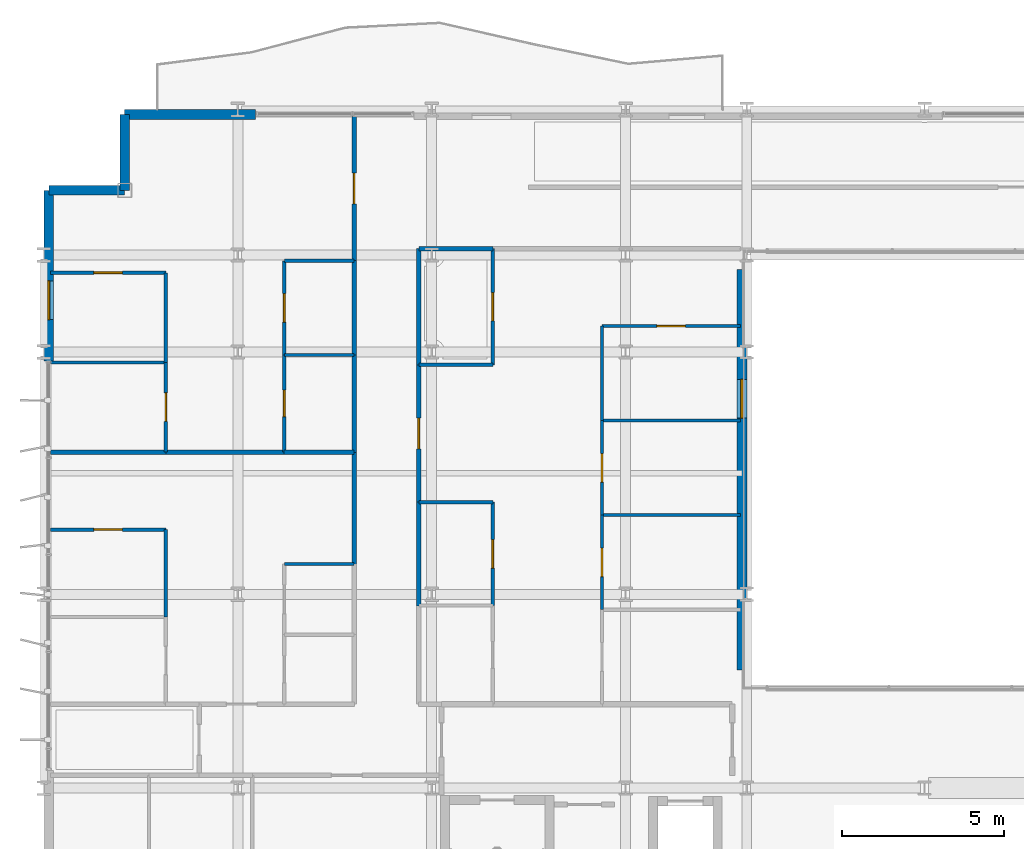
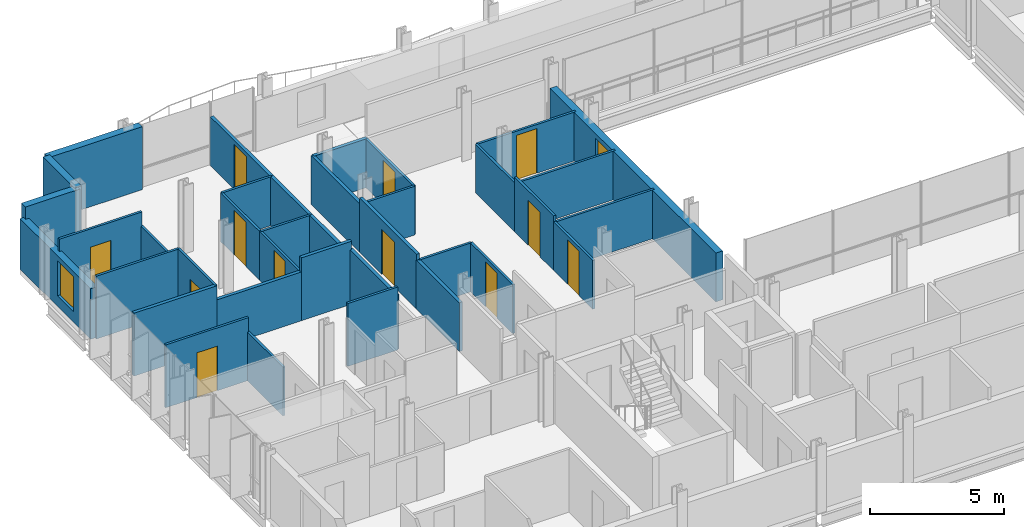
# One storey, part 29 of 38: 37 walls, 12 doors, 2 windows, 14 openings.
"""IFC4 building model written with IfcOpenShell, lengths in metres."""

from ifc_helpers import new_model, si_unit, direction, frame, frame_2d, origin, place, context, subcontext, project, spatial, rectangle, extrude, material, layer, layer_set, type_object, element, fill, save


model = new_model("IFC4")

# Units and contexts
model_context = context("Model", 3, precision=1e-05, world=origin(), true_north=direction((0.0, 1.0)))
body_context = subcontext(model_context, "Body", "Model", "MODEL_VIEW")
ifc_project = project(units=[si_unit("LENGTHUNIT", "METRE"), si_unit("AREAUNIT", "SQUARE_METRE"), si_unit("VOLUMEUNIT", "CUBIC_METRE"), si_unit("PLANEANGLEUNIT", "RADIAN"), si_unit("MASSUNIT", "GRAM", prefix="KILO")], contexts=[model_context])

# Site, building, storey
site_placement = place(None, origin())
site = spatial("IfcSite", under=ifc_project, at=site_placement, CompositionType="ELEMENT")
building_placement = place(site_placement, origin())
building = spatial("IfcBuilding", under=site, at=building_placement, Name="Brevholm Reach", CompositionType="ELEMENT")
storey_placement = place(building_placement, frame((0.0, 0.0, 65.199951171875)))
storey = spatial("IfcBuildingStorey", under=building, at=storey_placement, Name="L18", CompositionType="ELEMENT", Elevation=65.199951171875)

# Walls
ifc_material_1 = material(Name="Concrete C40/50", Category="concrete")
ifc_layer_1 = layer(ifc_material_1, 0.300048828125)
ifc_layer_set_1 = layer_set([ifc_layer_1], Name="Concrete C40/50")
wall_type_1 = type_object("IfcWallType", Name="WAL-EXT-300", PredefinedType="STANDARD", material=ifc_layer_set_1)
for number, where, z_axis, x_axis, name in (
    (1, (2.5, 30.85009765625, 0.0), (0.0, 0.0, 1.0), (0.0, -1.0, 0.0), "L18 Facade Wall WAL-L18-CNW1"),
    (2, (2.5, 28.5, 0.0), (0.0, 0.0, 1.0), (-1.0, 0.0, 0.0), "L18 Facade Wall WAL-L18-CNW2"),
):
    element("IfcWall", number, at=place(storey_placement, frame(where, z_axis=z_axis, x_axis=x_axis)), inside=storey, type_object=wall_type_1, Name=name, PredefinedType="STANDARD", context=body_context, shape_type="SweptSolid", body=[
        extrude(rectangle(XDim=2.35009765625, YDim=0.300048828125, at=frame_2d((1.175048828125, 0.0))), origin(), (0.0, 0.0, 1.0), 2.8701171875),
    ])

# Wall, opening, window
wall_1_placement = place(storey_placement, frame((0.14990234375, 28.5, 0.0), z_axis=(0.0, 0.0, 1.0), x_axis=(0.0, -1.0, 0.0)))
wall_1 = element("IfcWall", 3, at=wall_1_placement, inside=storey, type_object=wall_type_1, Name="L18 Facade Wall WAL-L18-W-N", PredefinedType="STANDARD", context=body_context, shape_type="SweptSolid", body=[
    extrude(rectangle(XDim=5.280029296875, YDim=0.300048828125, at=frame_2d((2.64013671875, 0.0))), origin(), (0.0, 0.0, 1.0), 2.3056640625),
])
opening_1_placement = place(wall_1_placement, frame((2.800048828125, 0.0, 0.485107421875)))
opening_1 = element("IfcOpeningElement", 4, at=opening_1_placement, cuts=wall_1, Name="Opening WN-08", PredefinedType="OPENING", context=body_context, shape_type="SweptSolid", body=[
    extrude(rectangle(XDim=1.199951171875, YDim=1.60009765625, at=frame_2d((0.60009765625, 0.800048828125))), frame((0.0, 0.159912109375, 0.0), z_axis=(0.0, -1.0, 0.0), x_axis=(1.0, 0.0, 0.0)), (0.0, 0.0, 1.0), 0.320068359375),
])
ifc_material_2 = material(Name="Dark Anodised Aluminium and Solar-Control IGU Glass", Category="aluminium")
window_type = type_object("IfcWindowType", Name="WIN-RES-1200", PartitioningType="SINGLE_PANEL", PredefinedType="WINDOW", material=ifc_material_2)
window_1_placement = place(opening_1_placement, origin())
window_1 = element("IfcWindow", 5, at=window_1_placement, inside=storey, type_object=window_type, Name="L18 Window WIN-L18-WN-1", OverallHeight=1.60009765625, OverallWidth=1.199951171875, PartitioningType="SINGLE_PANEL", PredefinedType="WINDOW", context=body_context, shape_type="SweptSolid", body=[
    extrude(rectangle(XDim=1.199951171875, YDim=1.60009765625, at=frame_2d((0.60009765625, 0.800048828125))), frame((0.0, 0.030029296875, 0.0), z_axis=(0.0, -1.0, 0.0), x_axis=(1.0, 0.0, 0.0)), (0.0, 0.0, 1.0), 0.06005859375),
])
fill(opening_1, window_1)

# Wall
wall_2_placement = place(storey_placement, frame((2.5, 30.85009765625, 0.0), z_axis=(0.0, 0.0, 1.0), x_axis=(1.0, 0.0, 0.0)))
element("IfcWall", 6, at=wall_2_placement, inside=storey, type_object=wall_type_1, Name="L18 Facade Wall WAL-L18-NP-W0", PredefinedType="STANDARD", context=body_context, shape_type="SweptSolid", body=[
    extrude(rectangle(XDim=4.050048828125, YDim=0.300048828125, at=frame_2d((2.02490234375, 0.0))), origin(), (0.0, 0.0, 1.0), 2.8701171875),
])

# Wall, opening, window
wall_3_placement = place(storey_placement, frame((21.60009765625, 26.050048828125, 0.0), z_axis=(0.0, 0.0, 1.0), x_axis=(0.0, -1.0, 0.0)))
wall_3 = element("IfcWall", 7, at=wall_3_placement, inside=storey, type_object=wall_type_1, Name="L18 Facade Wall WAL-L18-AT-W", PredefinedType="STANDARD", context=body_context, shape_type="SweptSolid", body=[
    extrude(rectangle(XDim=12.400146484375, YDim=0.300048828125, at=frame_2d((6.2001953125, 0.0))), origin(), (0.0, 0.0, 1.0), 2.224853515625),
])
opening_2_placement = place(wall_3_placement, frame((3.39990234375, 0.0, 0.405029296875)))
opening_2 = element("IfcOpeningElement", 8, at=opening_2_placement, cuts=wall_3, Name="Opening WN-08", PredefinedType="OPENING", context=body_context, shape_type="SweptSolid", body=[
    extrude(rectangle(XDim=1.199951171875, YDim=1.60009765625, at=frame_2d((0.60009765625, 0.800048828125))), frame((0.0, 0.159912109375, 0.0), z_axis=(0.0, -1.0, 0.0), x_axis=(1.0, 0.0, 0.0)), (0.0, 0.0, 1.0), 0.320068359375),
])
window_2_placement = place(opening_2_placement, origin())
window_2 = element("IfcWindow", 9, at=window_2_placement, inside=storey, type_object=window_type, Name="L18 Window WIN-L18-AT-W1", OverallHeight=1.60009765625, OverallWidth=1.199951171875, PartitioningType="SINGLE_PANEL", PredefinedType="WINDOW", context=body_context, shape_type="SweptSolid", body=[
    extrude(rectangle(XDim=1.199951171875, YDim=1.60009765625, at=frame_2d((0.60009765625, 0.800048828125))), frame((0.0, 0.030029296875, 0.0), z_axis=(0.0, -1.0, 0.0), x_axis=(1.0, 0.0, 0.0)), (0.0, 0.0, 1.0), 0.06005859375),
])
fill(opening_2, window_2)

# Walls
ifc_material_3 = material(Name="Moisture-Resistant Acoustic Gypsum Stud Partition 100 mm", Category="gypsum")
ifc_layer_2 = layer(ifc_material_3, 0.10009765625)
ifc_layer_set_2 = layer_set([ifc_layer_2], Name="Moisture-Resistant Acoustic Gypsum Stud Partition 100 mm")
wall_type_2 = type_object("IfcWallType", Name="WAL-PRT-100", PredefinedType="PARTITIONING", material=ifc_layer_set_2)
wall_4_placement = place(storey_placement, frame((7.43798828125, 16.93408203125, 0.0), z_axis=(0.0, 0.0, 1.0), x_axis=(1.0, 0.0, 0.0)))
element("IfcWall", 10, at=wall_4_placement, inside=storey, type_object=wall_type_2, Name="L18 Internal Partition 091", PredefinedType="PARTITIONING", context=body_context, shape_type="SweptSolid", body=[
    extrude(rectangle(XDim=2.157958984375, YDim=0.10009765625, at=frame_2d((1.0791015625, 0.0))), origin(), (0.0, 0.0, 1.0), 2.8701171875),
])
wall_5_placement = place(storey_placement, frame((3.77197265625, 15.303955078125, 0.0), z_axis=(0.0, 0.0, 1.0), x_axis=(0.0, 1.0, 0.0)))
element("IfcWall", 11, at=wall_5_placement, inside=storey, type_object=wall_type_2, Name="L18 Internal Partition 095", PredefinedType="PARTITIONING", context=body_context, shape_type="SweptSolid", body=[
    extrude(rectangle(XDim=2.696044921875, YDim=0.10009765625, at=frame_2d((1.34814453125, 0.0))), origin(), (0.0, 0.0, 1.0), 2.224853515625),
])

# Wall, opening, door
wall_6_placement = place(storey_placement, frame((0.199951171875, 18.0, 0.0), z_axis=(0.0, 0.0, 1.0), x_axis=(1.0, 0.0, 0.0)))
wall_6 = element("IfcWall", 12, at=wall_6_placement, inside=storey, type_object=wall_type_2, Name="L18 Internal Partition 096", PredefinedType="PARTITIONING", context=body_context, shape_type="SweptSolid", body=[
    extrude(rectangle(XDim=3.572021484375, YDim=0.10009765625, at=frame_2d((1.7861328125, 0.0))), origin(), (0.0, 0.0, 1.0), 2.8701171875),
])
opening_3_placement = place(wall_6_placement, frame((1.345947265625, 0.0, 0.0)))
opening_3 = element("IfcOpeningElement", 13, at=opening_3_placement, cuts=wall_6, Name="Opening ID-01", PredefinedType="OPENING", context=body_context, shape_type="SweptSolid", body=[
    extrude(rectangle(XDim=0.8798828125, YDim=2.0400390625, at=frame_2d((0.43994140625, 1.02001953125))), frame((0.0, 0.06005859375, 0.0), z_axis=(0.0, -1.0, 0.0), x_axis=(1.0, 0.0, 0.0)), (0.0, 0.0, 1.0), 0.1201171875),
])
ifc_material_4 = material(Name="Lacquered Ash Solid-Core Acoustic Internal Door", Category="timber")
door_type_1 = type_object("IfcDoorType", Name="DOR-INT-880", OperationType="NOTDEFINED", PredefinedType="DOOR", material=ifc_material_4)
door_1_placement = place(opening_3_placement, origin())
door_1 = element("IfcDoor", 14, at=door_1_placement, inside=storey, type_object=door_type_1, Name="L18 Internal Door 035", OperationType="SINGLE_SWING_LEFT", OverallHeight=2.0400390625, OverallWidth=0.8798828125, PredefinedType="DOOR", context=body_context, shape_type="SweptSolid", body=[
    extrude(rectangle(XDim=0.8798828125, YDim=2.0400390625, at=frame_2d((0.43994140625, 1.02001953125))), frame((0.0, 0.02490234375, 0.0), z_axis=(0.0, -1.0, 0.0), x_axis=(1.0, 0.0, 0.0)), (0.0, 0.0, 1.0), 0.050048828125),
])
fill(opening_3, door_1)

# Wall
wall_7_placement = place(storey_placement, frame((7.43798828125, 23.407958984375, 0.0), z_axis=(0.0, 0.0, 1.0), x_axis=(1.0, 0.0, 0.0)))
element("IfcWall", 15, at=wall_7_placement, inside=storey, type_object=wall_type_2, Name="L18 Internal Partition 100", PredefinedType="PARTITIONING", context=body_context, shape_type="SweptSolid", body=[
    extrude(rectangle(XDim=2.157958984375, YDim=0.10009765625, at=frame_2d((1.0791015625, 0.0))), origin(), (0.0, 0.0, 1.0), 2.224853515625),
])

# Wall, opening, door
wall_8_placement = place(storey_placement, frame((7.43798828125, 20.404052734375, 0.0), z_axis=(0.0, 0.0, 1.0), x_axis=(0.0, 1.0, 0.0)))
wall_8 = element("IfcWall", 16, at=wall_8_placement, inside=storey, type_object=wall_type_2, Name="L18 Internal Partition 101", PredefinedType="PARTITIONING", context=body_context, shape_type="SweptSolid", body=[
    extrude(rectangle(XDim=3.00390625, YDim=0.10009765625, at=frame_2d((1.501953125, 0.0))), origin(), (0.0, 0.0, 1.0), 2.224853515625),
])
opening_4_placement = place(wall_8_placement, frame((1.092041015625, 0.0, 0.0)))
opening_4 = element("IfcOpeningElement", 17, at=opening_4_placement, cuts=wall_8, Name="Opening ID-03", PredefinedType="OPENING", context=body_context, shape_type="SweptSolid", body=[
    extrude(rectangle(XDim=0.820068359375, YDim=2.02001953125, at=frame_2d((0.41015625, 1.010009765625))), frame((0.0, 0.06005859375, 0.0), z_axis=(0.0, -1.0, 0.0), x_axis=(1.0, 0.0, 0.0)), (0.0, 0.0, 1.0), 0.1201171875),
])
ifc_material_5 = material(Name="Moisture-Resistant Painted Timber Internal Bathroom Door", Category="wood")
door_type_2 = type_object("IfcDoorType", Name="DOR-BATH-820", OperationType="NOTDEFINED", PredefinedType="DOOR", material=ifc_material_5)
door_2_placement = place(opening_4_placement, origin())
door_2 = element("IfcDoor", 18, at=door_2_placement, inside=storey, type_object=door_type_2, Name="L18 Internal Door 036", OperationType="SINGLE_SWING_RIGHT", OverallHeight=2.02001953125, OverallWidth=0.820068359375, PredefinedType="DOOR", context=body_context, shape_type="SweptSolid", body=[
    extrude(rectangle(XDim=0.820068359375, YDim=2.02001953125, at=frame_2d((0.41015625, 1.010009765625))), frame((0.0, 0.02490234375, 0.0), z_axis=(0.0, -1.0, 0.0), x_axis=(1.0, 0.0, 0.0)), (0.0, 0.0, 1.0), 0.050048828125),
])
fill(opening_4, door_2)

# Wall
wall_9_placement = place(storey_placement, frame((7.43798828125, 26.320068359375, 0.0), z_axis=(0.0, 0.0, 1.0), x_axis=(1.0, 0.0, 0.0)))
element("IfcWall", 19, at=wall_9_placement, inside=storey, type_object=wall_type_2, Name="L18 Internal Partition 102", PredefinedType="PARTITIONING", context=body_context, shape_type="SweptSolid", body=[
    extrude(rectangle(XDim=2.157958984375, YDim=0.10009765625, at=frame_2d((1.0791015625, 0.0))), origin(), (0.0, 0.0, 1.0), 2.224853515625),
])

# Wall, opening, door
wall_10_placement = place(storey_placement, frame((7.43798828125, 23.412109375, 0.0), z_axis=(0.0, 0.0, 1.0), x_axis=(0.0, 1.0, 0.0)))
wall_10 = element("IfcWall", 20, at=wall_10_placement, inside=storey, type_object=wall_type_2, Name="L18 Internal Partition 103", PredefinedType="PARTITIONING", context=body_context, shape_type="SweptSolid", body=[
    extrude(rectangle(XDim=2.907958984375, YDim=0.10009765625, at=frame_2d((1.4541015625, 0.0))), origin(), (0.0, 0.0, 1.0), 2.224853515625),
])
opening_5_placement = place(wall_10_placement, frame((1.013916015625, 0.0, 0.0)))
opening_5 = element("IfcOpeningElement", 21, at=opening_5_placement, cuts=wall_10, Name="Opening ID-01", PredefinedType="OPENING", context=body_context, shape_type="SweptSolid", body=[
    extrude(rectangle(XDim=0.8798828125, YDim=2.0400390625, at=frame_2d((0.43994140625, 1.02001953125))), frame((0.0, 0.06005859375, 0.0), z_axis=(0.0, -1.0, 0.0), x_axis=(1.0, 0.0, 0.0)), (0.0, 0.0, 1.0), 0.1201171875),
])
door_3_placement = place(opening_5_placement, origin())
door_3 = element("IfcDoor", 22, at=door_3_placement, inside=storey, type_object=door_type_1, Name="L18 Internal Door 037", OperationType="SINGLE_SWING_LEFT", OverallHeight=2.0400390625, OverallWidth=0.8798828125, PredefinedType="DOOR", context=body_context, shape_type="SweptSolid", body=[
    extrude(rectangle(XDim=0.8798828125, YDim=2.0400390625, at=frame_2d((0.43994140625, 1.02001953125))), frame((0.0, 0.02490234375, 0.0), z_axis=(0.0, -1.0, 0.0), x_axis=(1.0, 0.0, 0.0)), (0.0, 0.0, 1.0), 0.050048828125),
])
fill(opening_5, door_3)

# Wall
wall_11_placement = place(storey_placement, frame((0.199951171875, 23.175048828125, 0.0), z_axis=(0.0, 0.0, 1.0), x_axis=(1.0, 0.0, 0.0)))
element("IfcWall", 23, at=wall_11_placement, inside=storey, type_object=wall_type_2, Name="L18 Internal Partition 104", PredefinedType="PARTITIONING", context=body_context, shape_type="SweptSolid", body=[
    extrude(rectangle(XDim=3.572021484375, YDim=0.10009765625, at=frame_2d((1.7861328125, 0.0))), origin(), (0.0, 0.0, 1.0), 2.8701171875),
])

# Wall, opening, door
wall_12_placement = place(storey_placement, frame((3.77197265625, 20.404052734375, 0.0), z_axis=(0.0, 0.0, 1.0), x_axis=(0.0, 1.0, 0.0)))
wall_12 = element("IfcWall", 24, at=wall_12_placement, inside=storey, type_object=wall_type_2, Name="L18 Internal Partition 105", PredefinedType="PARTITIONING", context=body_context, shape_type="SweptSolid", body=[
    extrude(rectangle(XDim=2.77099609375, YDim=0.10009765625, at=frame_2d((1.385498046875, 0.0))), origin(), (0.0, 0.0, 1.0), 2.8701171875),
])
opening_6_placement = place(wall_12_placement, frame((0.945556640625, 0.0, 0.0)))
opening_6 = element("IfcOpeningElement", 25, at=opening_6_placement, cuts=wall_12, Name="Opening ID-01", PredefinedType="OPENING", context=body_context, shape_type="SweptSolid", body=[
    extrude(rectangle(XDim=0.8798828125, YDim=2.0400390625, at=frame_2d((0.43994140625, 1.02001953125))), frame((0.0, 0.06005859375, 0.0), z_axis=(0.0, -1.0, 0.0), x_axis=(1.0, 0.0, 0.0)), (0.0, 0.0, 1.0), 0.1201171875),
])
door_4_placement = place(opening_6_placement, origin())
door_4 = element("IfcDoor", 26, at=door_4_placement, inside=storey, type_object=door_type_1, Name="L18 Internal Door 038", OperationType="SINGLE_SWING_RIGHT", OverallHeight=2.0400390625, OverallWidth=0.8798828125, PredefinedType="DOOR", context=body_context, shape_type="SweptSolid", body=[
    extrude(rectangle(XDim=0.8798828125, YDim=2.0400390625, at=frame_2d((0.43994140625, 1.02001953125))), frame((0.0, 0.02490234375, 0.0), z_axis=(0.0, -1.0, 0.0), x_axis=(1.0, 0.0, 0.0)), (0.0, 0.0, 1.0), 0.050048828125),
])
fill(opening_6, door_4)

# Wall
wall_13_placement = place(storey_placement, frame((3.77197265625, 23.178955078125, 0.0), z_axis=(0.0, 0.0, 1.0), x_axis=(0.0, 1.0, 0.0)))
element("IfcWall", 27, at=wall_13_placement, inside=storey, type_object=wall_type_2, Name="L18 Internal Partition 106", PredefinedType="PARTITIONING", context=body_context, shape_type="SweptSolid", body=[
    extrude(rectangle(XDim=2.77099609375, YDim=0.10009765625, at=frame_2d((1.385498046875, 0.0))), origin(), (0.0, 0.0, 1.0), 2.224853515625),
])

# Wall, opening, door
wall_14_placement = place(storey_placement, frame((0.199951171875, 25.949951171875, 0.0), z_axis=(0.0, 0.0, 1.0), x_axis=(1.0, 0.0, 0.0)))
wall_14 = element("IfcWall", 28, at=wall_14_placement, inside=storey, type_object=wall_type_2, Name="L18 Internal Partition 107", PredefinedType="PARTITIONING", context=body_context, shape_type="SweptSolid", body=[
    extrude(rectangle(XDim=3.572021484375, YDim=0.10009765625, at=frame_2d((1.7861328125, 0.0))), origin(), (0.0, 0.0, 1.0), 2.8701171875),
])
opening_7_placement = place(wall_14_placement, frame((1.345947265625, 0.0, 0.0)))
opening_7 = element("IfcOpeningElement", 29, at=opening_7_placement, cuts=wall_14, Name="Opening ID-01", PredefinedType="OPENING", context=body_context, shape_type="SweptSolid", body=[
    extrude(rectangle(XDim=0.8798828125, YDim=2.0400390625, at=frame_2d((0.43994140625, 1.02001953125))), frame((0.0, 0.06005859375, 0.0), z_axis=(0.0, -1.0, 0.0), x_axis=(1.0, 0.0, 0.0)), (0.0, 0.0, 1.0), 0.1201171875),
])
door_5_placement = place(opening_7_placement, origin())
door_5 = element("IfcDoor", 30, at=door_5_placement, inside=storey, type_object=door_type_1, Name="L18 Internal Door 039", OperationType="SINGLE_SWING_LEFT", OverallHeight=2.0400390625, OverallWidth=0.8798828125, PredefinedType="DOOR", context=body_context, shape_type="SweptSolid", body=[
    extrude(rectangle(XDim=0.8798828125, YDim=2.0400390625, at=frame_2d((0.43994140625, 1.02001953125))), frame((0.0, 0.02490234375, 0.0), z_axis=(0.0, -1.0, 0.0), x_axis=(1.0, 0.0, 0.0)), (0.0, 0.0, 1.0), 0.050048828125),
])
fill(opening_7, door_5)

wall_15_placement = place(storey_placement, frame((13.888916015625, 15.654052734375, 0.0), z_axis=(0.0, 0.0, 1.0), x_axis=(0.0, 1.0, 0.0)))
wall_15 = element("IfcWall", 31, at=wall_15_placement, inside=storey, type_object=wall_type_2, Name="L18 Internal Partition 110", PredefinedType="PARTITIONING", context=body_context, shape_type="SweptSolid", body=[
    extrude(rectangle(XDim=3.196044921875, YDim=0.10009765625, at=frame_2d((1.59814453125, 0.0))), origin(), (0.0, 0.0, 1.0), 2.224853515625),
])
opening_8_placement = place(wall_15_placement, frame((1.157958984375, 0.0, 0.0)))
opening_8 = element("IfcOpeningElement", 32, at=opening_8_placement, cuts=wall_15, Name="Opening ID-01", PredefinedType="OPENING", context=body_context, shape_type="SweptSolid", body=[
    extrude(rectangle(XDim=0.8798828125, YDim=2.0400390625, at=frame_2d((0.43994140625, 1.02001953125))), frame((0.0, 0.06005859375, 0.0), z_axis=(0.0, -1.0, 0.0), x_axis=(1.0, 0.0, 0.0)), (0.0, 0.0, 1.0), 0.1201171875),
])
door_6_placement = place(opening_8_placement, origin())
door_6 = element("IfcDoor", 33, at=door_6_placement, inside=storey, type_object=door_type_1, Name="L18 Internal Door 041", OperationType="SINGLE_SWING_LEFT", OverallHeight=2.0400390625, OverallWidth=0.8798828125, PredefinedType="DOOR", context=body_context, shape_type="SweptSolid", body=[
    extrude(rectangle(XDim=0.8798828125, YDim=2.0400390625, at=frame_2d((0.43994140625, 1.02001953125))), frame((0.0, 0.02490234375, 0.0), z_axis=(0.0, -1.0, 0.0), x_axis=(1.0, 0.0, 0.0)), (0.0, 0.0, 1.0), 0.050048828125),
])
fill(opening_8, door_6)

# Walls
for number, where, z_axis, x_axis, name in (
    (34, (11.60400390625, 18.85009765625, 0.0), (0.0, 0.0, 1.0), (1.0, 0.0, 0.0), "L18 Internal Partition 111"),
    (35, (11.60400390625, 23.10009765625, 0.0), (0.0, 0.0, 1.0), (1.0, 0.0, 0.0), "L18 Internal Partition 112"),
):
    element("IfcWall", number, at=place(storey_placement, frame(where, z_axis=z_axis, x_axis=x_axis)), inside=storey, type_object=wall_type_2, Name=name, PredefinedType="PARTITIONING", context=body_context, shape_type="SweptSolid", body=[
        extrude(rectangle(XDim=2.284912109375, YDim=0.10009765625, at=frame_2d((1.142578125, 0.0))), origin(), (0.0, 0.0, 1.0), 2.224853515625),
    ])

# Wall, opening, door
wall_16_placement = place(storey_placement, frame((13.888916015625, 23.10009765625, 0.0), z_axis=(0.0, 0.0, 1.0), x_axis=(0.0, 1.0, 0.0)))
wall_16 = element("IfcWall", 36, at=wall_16_placement, inside=storey, type_object=wall_type_2, Name="L18 Internal Partition 113", PredefinedType="PARTITIONING", context=body_context, shape_type="SweptSolid", body=[
    extrude(rectangle(XDim=3.595947265625, YDim=0.10009765625, at=frame_2d((1.7978515625, 0.0))), origin(), (0.0, 0.0, 1.0), 2.224853515625),
])
opening_9_placement = place(wall_16_placement, frame((1.35791015625, 0.0, 0.0)))
opening_9 = element("IfcOpeningElement", 37, at=opening_9_placement, cuts=wall_16, Name="Opening ID-01", PredefinedType="OPENING", context=body_context, shape_type="SweptSolid", body=[
    extrude(rectangle(XDim=0.8798828125, YDim=2.0400390625, at=frame_2d((0.43994140625, 1.02001953125))), frame((0.0, 0.06005859375, 0.0), z_axis=(0.0, -1.0, 0.0), x_axis=(1.0, 0.0, 0.0)), (0.0, 0.0, 1.0), 0.1201171875),
])
door_7_placement = place(opening_9_placement, origin())
door_7 = element("IfcDoor", 38, at=door_7_placement, inside=storey, type_object=door_type_1, Name="L18 Internal Door 042", OperationType="SINGLE_SWING_RIGHT", OverallHeight=2.0400390625, OverallWidth=0.8798828125, PredefinedType="DOOR", context=body_context, shape_type="SweptSolid", body=[
    extrude(rectangle(XDim=0.8798828125, YDim=2.0400390625, at=frame_2d((0.43994140625, 1.02001953125))), frame((0.0, 0.02490234375, 0.0), z_axis=(0.0, -1.0, 0.0), x_axis=(1.0, 0.0, 0.0)), (0.0, 0.0, 1.0), 0.050048828125),
])
fill(opening_9, door_7)

# Wall
wall_17_placement = place(storey_placement, frame((17.27099609375, 18.449951171875, 0.0), z_axis=(0.0, 0.0, 1.0), x_axis=(1.0, 0.0, 0.0)))
element("IfcWall", 39, at=wall_17_placement, inside=storey, type_object=wall_type_2, Name="L18 Internal Partition 116", PredefinedType="PARTITIONING", context=body_context, shape_type="SweptSolid", body=[
    extrude(rectangle(XDim=4.279052734375, YDim=0.10009765625, at=frame_2d((2.1396484375, 0.0))), origin(), (0.0, 0.0, 1.0), 2.224853515625),
])

# Wall, opening, door
wall_18_placement = place(storey_placement, frame((17.27099609375, 15.529052734375, 0.0), z_axis=(0.0, 0.0, 1.0), x_axis=(0.0, 1.0, 0.0)))
wall_18 = element("IfcWall", 40, at=wall_18_placement, inside=storey, type_object=wall_type_2, Name="L18 Internal Partition 117", PredefinedType="PARTITIONING", context=body_context, shape_type="SweptSolid", body=[
    extrude(rectangle(XDim=2.9208984375, YDim=0.10009765625, at=frame_2d((1.46044921875, 0.0))), origin(), (0.0, 0.0, 1.0), 2.224853515625),
])
opening_10_placement = place(wall_18_placement, frame((1.0205078125, 0.0, 0.0)))
opening_10 = element("IfcOpeningElement", 41, at=opening_10_placement, cuts=wall_18, Name="Opening ID-01", PredefinedType="OPENING", context=body_context, shape_type="SweptSolid", body=[
    extrude(rectangle(XDim=0.8798828125, YDim=2.0400390625, at=frame_2d((0.43994140625, 1.02001953125))), frame((0.0, 0.06005859375, 0.0), z_axis=(0.0, -1.0, 0.0), x_axis=(1.0, 0.0, 0.0)), (0.0, 0.0, 1.0), 0.1201171875),
])
door_8_placement = place(opening_10_placement, origin())
door_8 = element("IfcDoor", 42, at=door_8_placement, inside=storey, type_object=door_type_1, Name="L18 Internal Door 044", OperationType="SINGLE_SWING_RIGHT", OverallHeight=2.0400390625, OverallWidth=0.8798828125, PredefinedType="DOOR", context=body_context, shape_type="SweptSolid", body=[
    extrude(rectangle(XDim=0.8798828125, YDim=2.0400390625, at=frame_2d((0.43994140625, 1.02001953125))), frame((0.0, 0.02490234375, 0.0), z_axis=(0.0, -1.0, 0.0), x_axis=(1.0, 0.0, 0.0)), (0.0, 0.0, 1.0), 0.050048828125),
])
fill(opening_10, door_8)

# Wall
wall_19_placement = place(storey_placement, frame((17.27099609375, 21.375, 0.0), z_axis=(0.0, 0.0, 1.0), x_axis=(1.0, 0.0, 0.0)))
element("IfcWall", 43, at=wall_19_placement, inside=storey, type_object=wall_type_2, Name="L18 Internal Partition 118", PredefinedType="PARTITIONING", context=body_context, shape_type="SweptSolid", body=[
    extrude(rectangle(XDim=4.279052734375, YDim=0.10009765625, at=frame_2d((2.1396484375, 0.0))), origin(), (0.0, 0.0, 1.0), 2.224853515625),
])

# Wall, opening, door
wall_20_placement = place(storey_placement, frame((17.27099609375, 18.4541015625, 0.0), z_axis=(0.0, 0.0, 1.0), x_axis=(0.0, 1.0, 0.0)))
wall_20 = element("IfcWall", 44, at=wall_20_placement, inside=storey, type_object=wall_type_2, Name="L18 Internal Partition 119", PredefinedType="PARTITIONING", context=body_context, shape_type="SweptSolid", body=[
    extrude(rectangle(XDim=2.9208984375, YDim=0.10009765625, at=frame_2d((1.46044921875, 0.0))), origin(), (0.0, 0.0, 1.0), 2.489990234375),
])
opening_11_placement = place(wall_20_placement, frame((1.0205078125, 0.0, 0.0)))
opening_11 = element("IfcOpeningElement", 45, at=opening_11_placement, cuts=wall_20, Name="Opening ID-01", PredefinedType="OPENING", context=body_context, shape_type="SweptSolid", body=[
    extrude(rectangle(XDim=0.8798828125, YDim=2.0400390625, at=frame_2d((0.43994140625, 1.02001953125))), frame((0.0, 0.06005859375, 0.0), z_axis=(0.0, -1.0, 0.0), x_axis=(1.0, 0.0, 0.0)), (0.0, 0.0, 1.0), 0.1201171875),
])
door_9_placement = place(opening_11_placement, origin())
door_9 = element("IfcDoor", 46, at=door_9_placement, inside=storey, type_object=door_type_1, Name="L18 Internal Door 045", OperationType="SINGLE_SWING_LEFT", OverallHeight=2.0400390625, OverallWidth=0.8798828125, PredefinedType="DOOR", context=body_context, shape_type="SweptSolid", body=[
    extrude(rectangle(XDim=0.8798828125, YDim=2.0400390625, at=frame_2d((0.43994140625, 1.02001953125))), frame((0.0, 0.02490234375, 0.0), z_axis=(0.0, -1.0, 0.0), x_axis=(1.0, 0.0, 0.0)), (0.0, 0.0, 1.0), 0.050048828125),
])
fill(opening_11, door_9)

wall_21_placement = place(storey_placement, frame((17.27099609375, 24.300048828125, 0.0), z_axis=(0.0, 0.0, 1.0), x_axis=(1.0, 0.0, 0.0)))
wall_21 = element("IfcWall", 47, at=wall_21_placement, inside=storey, type_object=wall_type_2, Name="L18 Internal Partition 120", PredefinedType="PARTITIONING", context=body_context, shape_type="SweptSolid", body=[
    extrude(rectangle(XDim=4.279052734375, YDim=0.10009765625, at=frame_2d((2.1396484375, 0.0))), origin(), (0.0, 0.0, 1.0), 2.224853515625),
])
opening_12_placement = place(wall_21_placement, frame((1.699462890625, 0.0, 0.0)))
opening_12 = element("IfcOpeningElement", 48, at=opening_12_placement, cuts=wall_21, Name="Opening ID-01", PredefinedType="OPENING", context=body_context, shape_type="SweptSolid", body=[
    extrude(rectangle(XDim=0.8798828125, YDim=2.0400390625, at=frame_2d((0.43994140625, 1.02001953125))), frame((0.0, 0.06005859375, 0.0), z_axis=(0.0, -1.0, 0.0), x_axis=(1.0, 0.0, 0.0)), (0.0, 0.0, 1.0), 0.1201171875),
])
door_10_placement = place(opening_12_placement, origin())
door_10 = element("IfcDoor", 49, at=door_10_placement, inside=storey, type_object=door_type_1, Name="L18 Internal Door 046", OperationType="SINGLE_SWING_RIGHT", OverallHeight=2.0400390625, OverallWidth=0.8798828125, PredefinedType="DOOR", context=body_context, shape_type="SweptSolid", body=[
    extrude(rectangle(XDim=0.8798828125, YDim=2.0400390625, at=frame_2d((0.43994140625, 1.02001953125))), frame((0.0, 0.02490234375, 0.0), z_axis=(0.0, -1.0, 0.0), x_axis=(1.0, 0.0, 0.0)), (0.0, 0.0, 1.0), 0.050048828125),
])
fill(opening_12, door_10)

# Walls
wall_22_placement = place(storey_placement, frame((17.27099609375, 21.37890625, 0.0), z_axis=(0.0, 0.0, 1.0), x_axis=(0.0, 1.0, 0.0)))
element("IfcWall", 50, at=wall_22_placement, inside=storey, type_object=wall_type_2, Name="L18 Internal Partition 121", PredefinedType="PARTITIONING", context=body_context, shape_type="SweptSolid", body=[
    extrude(rectangle(XDim=2.921142578125, YDim=0.10009765625, at=frame_2d((1.46044921875, 0.0))), origin(), (0.0, 0.0, 1.0), 2.224853515625),
])
ifc_material_6 = material(Name="Twin-Stud Acoustic Fire-Rated Gypsum Partition 140 mm", Category="gypsum")
ifc_layer_3 = layer(ifc_material_6, 0.139892578125)
ifc_layer_set_3 = layer_set([ifc_layer_3], Name="Twin-Stud Acoustic Fire-Rated Gypsum Partition 140 mm")
wall_type_3 = type_object("IfcWallType", Name="WAL-PRT-140", PredefinedType="PARTITIONING", material=ifc_layer_set_3)
wall_23_placement = place(storey_placement, frame((9.60009765625, 16.9267578125, 0.0), z_axis=(0.0, 0.0, 1.0), x_axis=(0.0, 1.0, 0.0)))
element("IfcWall", 51, at=wall_23_placement, inside=storey, type_object=wall_type_3, Name="L18 Internal Partition 039", PredefinedType="PARTITIONING", context=body_context, shape_type="SweptSolid", body=[
    extrude(rectangle(XDim=3.484619140625, YDim=0.139892578125, at=frame_2d((1.7421875, 0.0))), origin(), (0.0, 0.0, 1.0), 2.489990234375),
])
wall_24_placement = place(storey_placement, frame((9.60009765625, 20.392578125, 0.0), z_axis=(0.0, 0.0, 1.0), x_axis=(0.0, 1.0, 0.0)))
element("IfcWall", 52, at=wall_24_placement, inside=storey, type_object=wall_type_3, Name="L18 Internal Partition 040", PredefinedType="PARTITIONING", context=body_context, shape_type="SweptSolid", body=[
    extrude(rectangle(XDim=3.026611328125, YDim=0.139892578125, at=frame_2d((1.51318359375, 0.0))), origin(), (0.0, 0.0, 1.0), 2.224853515625),
])
wall_25_placement = place(storey_placement, frame((9.60009765625, 23.400634765625, 0.0), z_axis=(0.0, 0.0, 1.0), x_axis=(0.0, 1.0, 0.0)))
element("IfcWall", 53, at=wall_25_placement, inside=storey, type_object=wall_type_3, Name="L18 Internal Partition 041", PredefinedType="PARTITIONING", context=body_context, shape_type="SweptSolid", body=[
    extrude(rectangle(XDim=2.9306640625, YDim=0.139892578125, at=frame_2d((1.46533203125, 0.0))), origin(), (0.0, 0.0, 1.0), 2.224853515625),
])

# Wall, opening, door
wall_26_placement = place(storey_placement, frame((9.60009765625, 26.312744140625, 0.0), z_axis=(0.0, 0.0, 1.0), x_axis=(0.0, 1.0, 0.0)))
wall_26 = element("IfcWall", 54, at=wall_26_placement, inside=storey, type_object=wall_type_3, Name="L18 Internal Partition 042", PredefinedType="PARTITIONING", context=body_context, shape_type="SweptSolid", body=[
    extrude(rectangle(XDim=4.4873046875, YDim=0.139892578125, at=frame_2d((2.24365234375, 0.0))), origin(), (0.0, 0.0, 1.0), 2.224853515625),
])
opening_13_placement = place(wall_26_placement, frame((1.768798828125, 0.0, 0.0)))
opening_13 = element("IfcOpeningElement", 55, at=opening_13_placement, cuts=wall_26, Name="Opening ID-30", PredefinedType="OPENING", context=body_context, shape_type="SweptSolid", body=[
    extrude(rectangle(XDim=0.949951171875, YDim=2.050048828125, at=frame_2d((0.47509765625, 1.02490234375))), frame((0.0, 0.079833984375, 0.0), z_axis=(0.0, -1.0, 0.0), x_axis=(1.0, 0.0, 0.0)), (0.0, 0.0, 1.0), 0.159912109375),
])
ifc_material_7 = material(Name="European Oak Veneered Solid-Core Fire Entrance Door", Category="timber")
door_type_3 = type_object("IfcDoorType", Name="DOR-FLT-FD30S", OperationType="NOTDEFINED", PredefinedType="DOOR", material=ifc_material_7)
door_11_placement = place(opening_13_placement, origin())
door_11 = element("IfcDoor", 56, at=door_11_placement, inside=storey, type_object=door_type_3, Name="L18 Internal Door 018", OperationType="SINGLE_SWING_RIGHT", OverallHeight=2.050048828125, OverallWidth=0.949951171875, PredefinedType="DOOR", context=body_context, shape_type="SweptSolid", body=[
    extrude(rectangle(XDim=0.949951171875, YDim=2.050048828125, at=frame_2d((0.47509765625, 1.02490234375))), frame((0.0, 0.02490234375, 0.0), z_axis=(0.0, -1.0, 0.0), x_axis=(1.0, 0.0, 0.0)), (0.0, 0.0, 1.0), 0.050048828125),
])
fill(opening_13, door_11)

# Walls
wall_27_placement = place(storey_placement, frame((11.60009765625, 15.642578125, 0.0), z_axis=(0.0, 0.0, 1.0), x_axis=(0.0, 1.0, 0.0)))
element("IfcWall", 57, at=wall_27_placement, inside=storey, type_object=wall_type_3, Name="L18 Internal Partition 044", PredefinedType="PARTITIONING", context=body_context, shape_type="SweptSolid", body=[
    extrude(rectangle(XDim=3.21875, YDim=0.139892578125, at=frame_2d((1.609375, 0.0))), origin(), (0.0, 0.0, 1.0), 2.224853515625),
])
wall_28_placement = place(storey_placement, frame((11.60009765625, 23.088623046875, 0.0), z_axis=(0.0, 0.0, 1.0), x_axis=(0.0, 1.0, 0.0)))
element("IfcWall", 58, at=wall_28_placement, inside=storey, type_object=wall_type_3, Name="L18 Internal Partition 045", PredefinedType="PARTITIONING", context=body_context, shape_type="SweptSolid", body=[
    extrude(rectangle(XDim=3.61865234375, YDim=0.139892578125, at=frame_2d((1.809326171875, 0.0))), origin(), (0.0, 0.0, 1.0), 2.224853515625),
])

# Wall, opening, door
wall_29_placement = place(storey_placement, frame((11.60009765625, 18.8427734375, 0.0), z_axis=(0.0, 0.0, 1.0), x_axis=(0.0, 1.0, 0.0)))
wall_29 = element("IfcWall", 59, at=wall_29_placement, inside=storey, type_object=wall_type_3, Name="L18 Internal Partition 046", PredefinedType="PARTITIONING", context=body_context, shape_type="SweptSolid", body=[
    extrude(rectangle(XDim=4.2646484375, YDim=0.139892578125, at=frame_2d((2.13232421875, 0.0))), origin(), (0.0, 0.0, 1.0), 2.489990234375),
])
opening_14_placement = place(wall_29_placement, frame((1.6572265625, 0.0, 0.0)))
opening_14 = element("IfcOpeningElement", 60, at=opening_14_placement, cuts=wall_29, Name="Opening ID-30", PredefinedType="OPENING", context=body_context, shape_type="SweptSolid", body=[
    extrude(rectangle(XDim=0.949951171875, YDim=2.050048828125, at=frame_2d((0.47509765625, 1.02490234375))), frame((0.0, 0.079833984375, 0.0), z_axis=(0.0, -1.0, 0.0), x_axis=(1.0, 0.0, 0.0)), (0.0, 0.0, 1.0), 0.159912109375),
])
door_12_placement = place(opening_14_placement, origin())
door_12 = element("IfcDoor", 61, at=door_12_placement, inside=storey, type_object=door_type_3, Name="L18 Internal Door 019", OperationType="SINGLE_SWING_LEFT", OverallHeight=2.050048828125, OverallWidth=0.949951171875, PredefinedType="DOOR", context=body_context, shape_type="SweptSolid", body=[
    extrude(rectangle(XDim=0.949951171875, YDim=2.050048828125, at=frame_2d((0.47509765625, 1.02490234375))), frame((0.0, 0.02490234375, 0.0), z_axis=(0.0, -1.0, 0.0), x_axis=(1.0, 0.0, 0.0)), (0.0, 0.0, 1.0), 0.050048828125),
])
fill(opening_14, door_12)

# Walls
wall_30_placement = place(storey_placement, frame((11.60400390625, 26.699951171875, 0.0), z_axis=(0.0, 0.0, 1.0), x_axis=(1.0, 0.0, 0.0)))
element("IfcWall", 62, at=wall_30_placement, inside=storey, type_object=wall_type_3, Name="L18 Internal Partition 059", PredefinedType="PARTITIONING", context=body_context, shape_type="SweptSolid", body=[
    extrude(rectangle(XDim=2.29638671875, YDim=0.139892578125, at=frame_2d((1.148193359375, 0.0))), origin(), (0.0, 0.0, 1.0), 2.224853515625),
])
wall_31_placement = place(storey_placement, frame((7.4267578125, 20.39990234375, 0.0), z_axis=(0.0, 0.0, 1.0), x_axis=(1.0, 0.0, 0.0)))
element("IfcWall", 63, at=wall_31_placement, inside=storey, type_object=wall_type_3, Name="L18 Internal Partition 097", PredefinedType="PARTITIONING", context=body_context, shape_type="SweptSolid", body=[
    extrude(rectangle(XDim=2.169189453125, YDim=0.139892578125, at=frame_2d((1.08447265625, 0.0))), origin(), (0.0, 0.0, 1.0), 2.8701171875),
])
wall_32_placement = place(storey_placement, frame((0.199951171875, 20.39990234375, 0.0), z_axis=(0.0, 0.0, 1.0), x_axis=(1.0, 0.0, 0.0)))
element("IfcWall", 64, at=wall_32_placement, inside=storey, type_object=wall_type_3, Name="L18 Internal Partition 098", PredefinedType="PARTITIONING", context=body_context, shape_type="SweptSolid", body=[
    extrude(rectangle(XDim=3.583251953125, YDim=0.139892578125, at=frame_2d((1.79150390625, 0.0))), origin(), (0.0, 0.0, 1.0), 2.8701171875),
])
wall_33_placement = place(storey_placement, frame((3.7646484375, 20.39990234375, 0.0), z_axis=(0.0, 0.0, 1.0), x_axis=(1.0, 0.0, 0.0)))
element("IfcWall", 65, at=wall_33_placement, inside=storey, type_object=wall_type_3, Name="L18 Internal Partition 099", PredefinedType="PARTITIONING", context=body_context, shape_type="SweptSolid", body=[
    extrude(rectangle(XDim=3.6806640625, YDim=0.139892578125, at=frame_2d((1.84033203125, 0.0))), origin(), (0.0, 0.0, 1.0), 2.224853515625),
])

save(model, "model.ifc")
